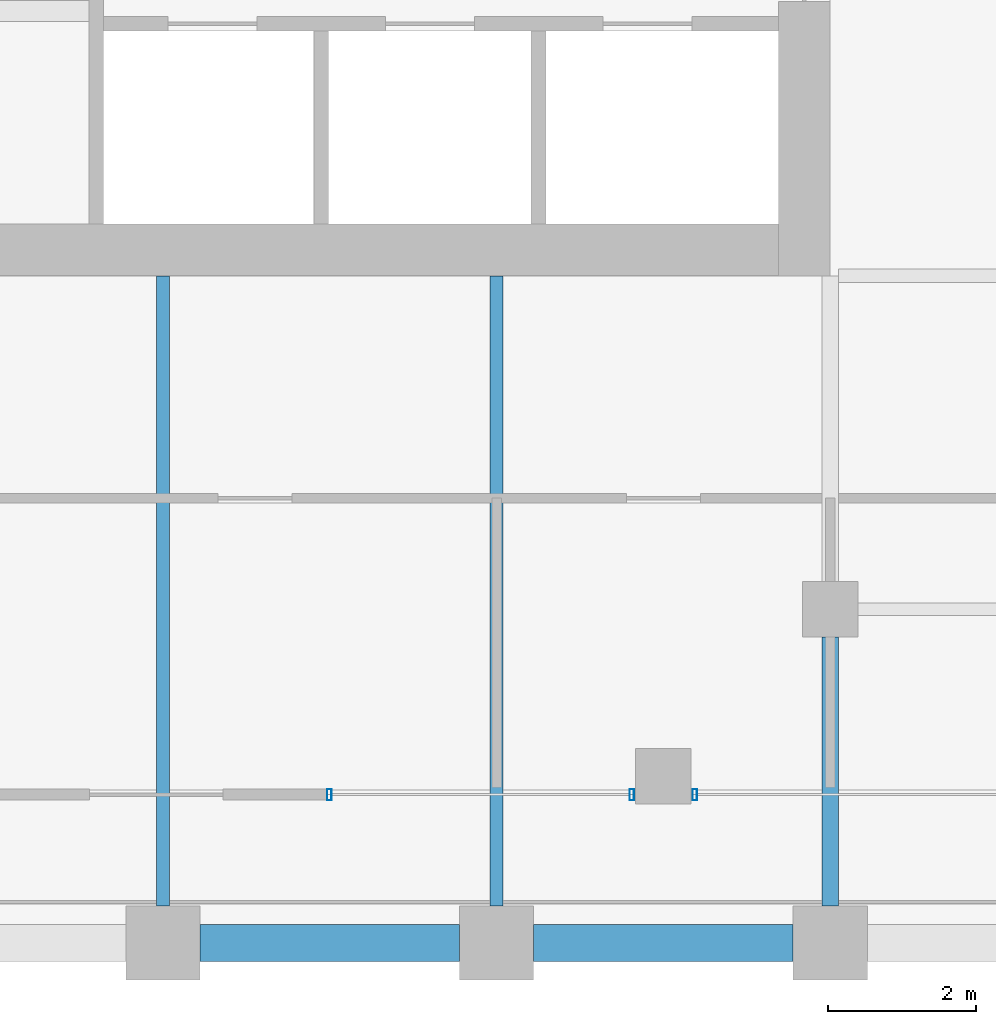
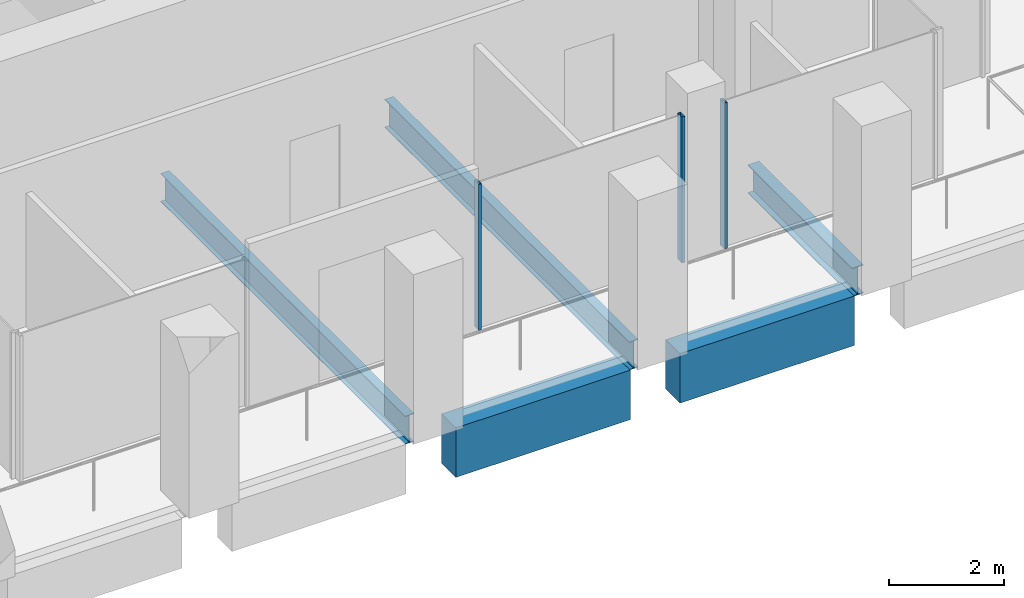
# One storey, part 31 of 46: 5 beams, 3 members, 2 elements without a shape of their own.
"""IFC4 building model written with IfcOpenShell, lengths in metres."""

from ifc_helpers import new_model, si_unit, direction, frame, origin, origin_2d, place, context, subcontext, project, spatial, rectangle, hollow_rectangle, i_section, extrude, material, material_profile, profile_set, type_object, element, aggregate, save


model = new_model("IFC4")

# Units and contexts
model_context = context("Model", 3, precision=1e-05, world=origin(), true_north=direction((0.0, 1.0)))
body_context = subcontext(model_context, "Body", "Model", "MODEL_VIEW")
ifc_project = project(units=[si_unit("LENGTHUNIT", "METRE"), si_unit("AREAUNIT", "SQUARE_METRE"), si_unit("VOLUMEUNIT", "CUBIC_METRE"), si_unit("PLANEANGLEUNIT", "RADIAN"), si_unit("MASSUNIT", "GRAM", prefix="KILO")], contexts=[model_context])

# Site, building, storey
site_placement = place(None, origin())
site = spatial("IfcSite", under=ifc_project, at=site_placement, CompositionType="ELEMENT")
building_placement = place(site_placement, origin())
building = spatial("IfcBuilding", under=site, at=building_placement, Name="Altepetl Exchange Towers", CompositionType="ELEMENT")
storey_placement = place(building_placement, frame((0.0, 0.0, 128.0)))
storey = spatial("IfcBuildingStorey", under=building, at=storey_placement, Name="L31", CompositionType="ELEMENT", Elevation=128.0)

# Beams
ifc_material_1 = material(Name="Steel S355", Category="steel")
ifc_material_profile_1 = material_profile(ifc_material_1, i_section(OverallWidth=0.177978515625, OverallDepth=0.59912109375, WebThickness=0.010009765625, FlangeThickness=0.0126953125, at=origin_2d()), Name="W24X55")
ifc_profile_set_1 = profile_set([ifc_material_profile_1], Name="Steel S355")
beam_type_1 = type_object("IfcBeamType", Name="Floor beam W24X55", PredefinedType="BEAM", material=ifc_profile_set_1)
for number, where, z_axis, x_axis, name in (
    (1, (108.0, 27.5, -0.449462890625), (0.0, 1.0, 0.0), (-1.0, 0.0, 0.0), "bm:B:L31:006"),
    (2, (112.5, 27.5, -0.449462890625), (0.0, 1.0, 0.0), (-1.0, 0.0, 0.0), "bm:B:L31:007"),
):
    element("IfcBeam", number, at=place(storey_placement, frame(where, z_axis=z_axis, x_axis=x_axis)), inside=storey, type_object=beam_type_1, Name=name, PredefinedType="BEAM", context=body_context, shape_type="SweptSolid", body=[
        extrude(i_section(OverallWidth=0.177978515625, OverallDepth=0.59912109375, WebThickness=0.010009765625, FlangeThickness=0.0126953125, at=origin_2d()), origin(), (0.0, 0.0, 1.0), 8.5),
    ])
ifc_material_profile_2 = material_profile(ifc_material_1, i_section(OverallWidth=0.22802734375, OverallDepth=0.60791015625, WebThickness=0.01123046875, FlangeThickness=0.017333984375, at=origin_2d()), Name="W24X76")
ifc_profile_set_2 = profile_set([ifc_material_profile_2], Name="Steel S355")
beam_type_2 = type_object("IfcBeamType", Name="Girder W24X76", PredefinedType="BEAM", material=ifc_profile_set_2)
beam_placement = place(storey_placement, frame((117.0, 31.125, -0.4541015625), z_axis=(0.0, -1.0, 0.0), x_axis=(1.0, 0.0, 0.0)))
element("IfcBeam", 3, at=beam_placement, inside=storey, type_object=beam_type_2, Name="gd:B:L31:001", PredefinedType="BEAM", context=body_context, shape_type="SweptSolid", body=[
    extrude(i_section(OverallWidth=0.22802734375, OverallDepth=0.60791015625, WebThickness=0.01123046875, FlangeThickness=0.017333984375, at=origin_2d()), origin(), (0.0, 0.0, 1.0), 3.625),
])

# Curtain wall, members
ifc_material_2 = material(Name="Aluminium 6063-T6 glazing", Category="aluminium")
curtain_wall_type = type_object("IfcCurtainWallType", Name="Loggia glazing system", PredefinedType="NOTDEFINED", material=ifc_material_2)
curtain_wall_1_placement = place(storey_placement, origin())
curtain_wall_1 = element("IfcCurtainWall", 4, at=curtain_wall_1_placement, inside=storey, type_object=curtain_wall_type, Name="CW1 run", PredefinedType="NOTDEFINED")
ifc_material_3 = material(Name="Aluminium 6063-T6", Category="aluminium")
ifc_material_profile_3 = material_profile(ifc_material_3, hollow_rectangle(XDim=0.06005859375, YDim=0.14990234375, WallThickness=0.0029296875, at=origin_2d()), Name="Mullion 60x150 aluminium")
ifc_profile_set_3 = profile_set([ifc_material_profile_3], Name="Aluminium 6063-T6")
member_type = type_object("IfcMemberType", Name="Mullion 60x150 aluminium", PredefinedType="MULLION", material=ifc_profile_set_3)
member_1_placement = place(storey_placement, frame((110.242431640625, 29.0, 0.0)))
member_1 = element("IfcMember", 5, at=member_1_placement, type_object=member_type, Name="MU1 mullion", PredefinedType="MULLION", context=body_context, shape_type="SweptSolid", body=[
    extrude(hollow_rectangle(XDim=0.06005859375, YDim=0.14990234375, WallThickness=0.0029296875, at=origin_2d()), origin(), (0.0, 0.0, 1.0), 3.10009765625),
])
member_2_placement = place(storey_placement, frame((114.324951171875, 29.0, 0.0)))
member_2 = element("IfcMember", 6, at=member_2_placement, type_object=member_type, Name="MU1 mullion", PredefinedType="MULLION", context=body_context, shape_type="SweptSolid", body=[
    extrude(hollow_rectangle(XDim=0.06005859375, YDim=0.14990234375, WallThickness=0.0029296875, at=origin_2d()), origin(), (0.0, 0.0, 1.0), 3.10009765625),
])
aggregate(curtain_wall_1, [member_1, member_2])

# Curtain wall, member
curtain_wall_2_placement = place(storey_placement, origin())
curtain_wall_2 = element("IfcCurtainWall", 7, at=curtain_wall_2_placement, inside=storey, type_object=curtain_wall_type, Name="CW1 run", PredefinedType="NOTDEFINED")
member_3_placement = place(storey_placement, frame((115.175048828125, 29.0, 0.0)))
member_3 = element("IfcMember", 8, at=member_3_placement, type_object=member_type, Name="MU1 mullion", PredefinedType="MULLION", context=body_context, shape_type="SweptSolid", body=[
    extrude(hollow_rectangle(XDim=0.06005859375, YDim=0.14990234375, WallThickness=0.0029296875, at=origin_2d()), origin(), (0.0, 0.0, 1.0), 3.10009765625),
])
aggregate(curtain_wall_2, [member_3])

# Beams
ifc_material_4 = material(Name="Concrete C50/60 precast with tezontle facing", Category="concrete")
ifc_material_profile_4 = material_profile(ifc_material_4, rectangle(XDim=0.5, YDim=1.050048828125, at=origin_2d()), Name="500 x 1050")
ifc_profile_set_4 = profile_set([ifc_material_profile_4], Name="Concrete C50/60 precast with tezontle facing")
beam_type_3 = type_object("IfcBeamType", Name="Spandrel beam 500x1050 tezontle", PredefinedType="SPANDREL", material=ifc_profile_set_4)
for number, where, z_axis, x_axis, name in (
    (9, (108.5, 27.0, -0.675048828125), (1.0, 0.0, 0.0), (0.0, 1.0, 0.0), "sp:B:L31:002"),
    (10, (113.0, 27.0, -0.675048828125), (1.0, 0.0, 0.0), (0.0, 1.0, 0.0), "sp:B:L31:003"),
):
    element("IfcBeam", number, at=place(storey_placement, frame(where, z_axis=z_axis, x_axis=x_axis)), inside=storey, type_object=beam_type_3, Name=name, PredefinedType="SPANDREL", context=body_context, shape_type="SweptSolid", body=[
        extrude(rectangle(XDim=0.5, YDim=1.050048828125, at=origin_2d()), origin(), (0.0, 0.0, 1.0), 3.5),
    ])

save(model, "model.ifc")
